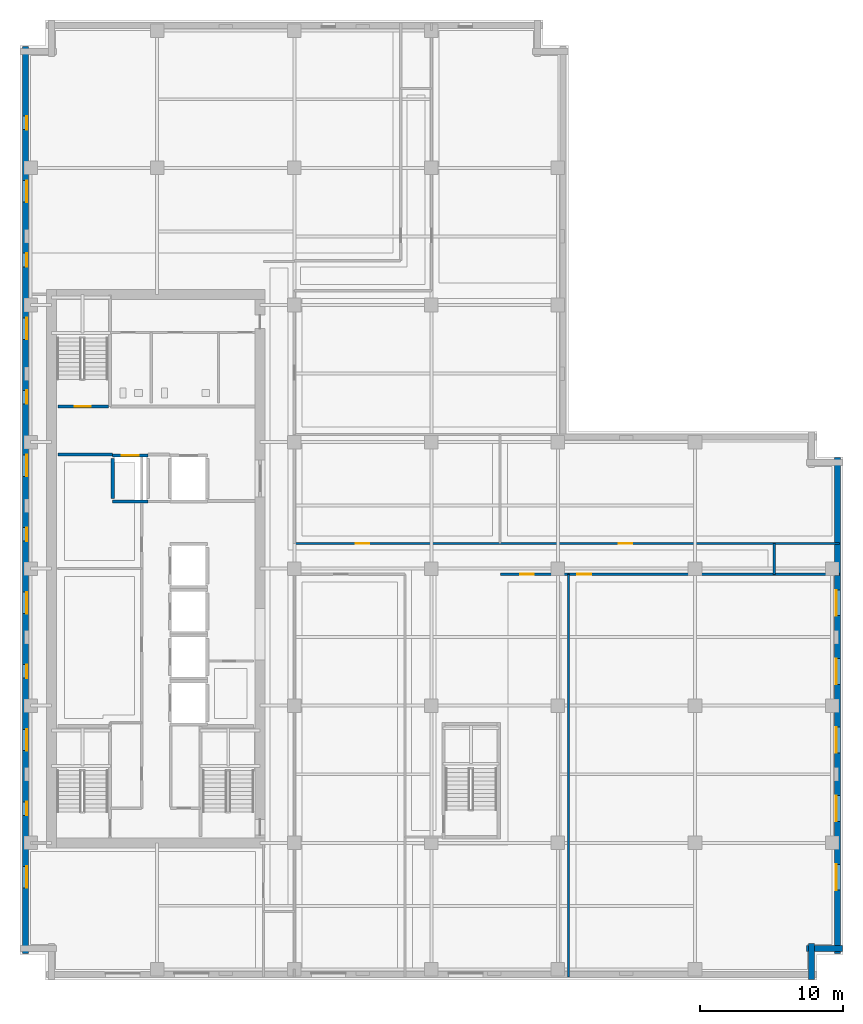
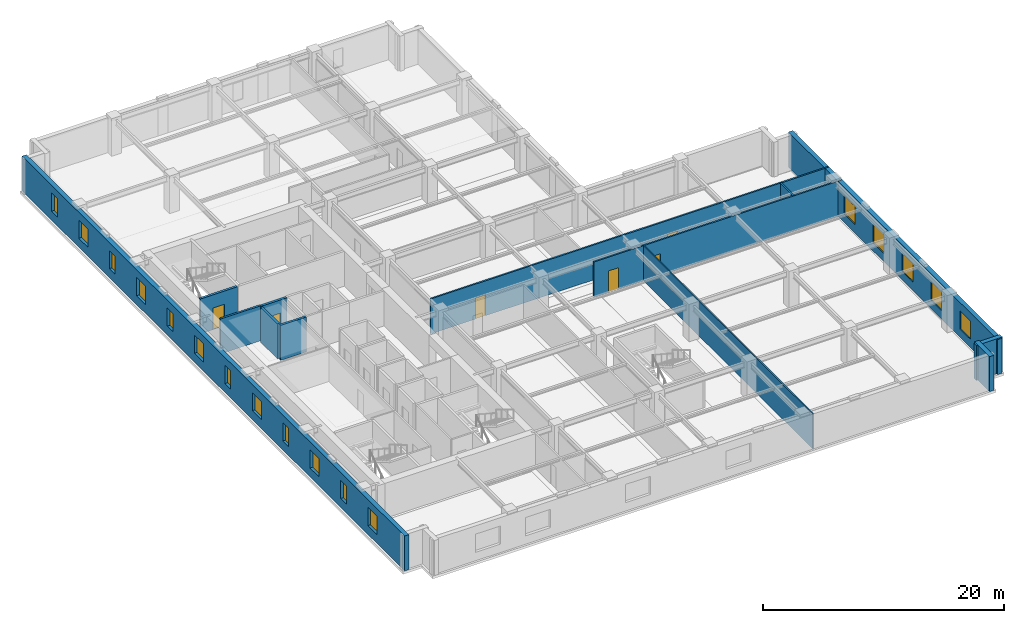
# One storey, part 5 of 12: 17 windows, 13 walls, 6 doors, 23 openings.
"""IFC4 building model written with IfcOpenShell, lengths in metres."""

from ifc_helpers import new_model, si_unit, direction, frame, frame_2d, origin, place, context, subcontext, project, spatial, rectangle, extrude, material, layer, layer_set, type_object, element, fill, save


model = new_model("IFC4")

# Units and contexts
model_context = context("Model", 3, precision=1e-05, world=origin(), true_north=direction((0.0, 1.0)))
body_context = subcontext(model_context, "Body", "Model", "MODEL_VIEW")
ifc_project = project(units=[si_unit("LENGTHUNIT", "METRE"), si_unit("AREAUNIT", "SQUARE_METRE"), si_unit("VOLUMEUNIT", "CUBIC_METRE"), si_unit("PLANEANGLEUNIT", "RADIAN"), si_unit("MASSUNIT", "GRAM", prefix="KILO")], contexts=[model_context])

# Site, building, storey
site_placement = place(None, origin())
site = spatial("IfcSite", under=ifc_project, at=site_placement, CompositionType="ELEMENT")
building_placement = place(site_placement, origin())
building = spatial("IfcBuilding", under=site, at=building_placement, Name="Norrvale University Quadrangle", CompositionType="ELEMENT")
storey_placement = place(building_placement, frame((0.0, 0.0, 182.60009765625)))
storey = spatial("IfcBuildingStorey", under=building, at=storey_placement, Name="L46", CompositionType="ELEMENT", Elevation=182.60009765625)

# Walls
ifc_material_1 = material(Name="Buff Norman Clay Brick Masonry", Category="masonry")
ifc_layer_1 = layer(ifc_material_1, 0.419921875, Name="Buff Norman Clay Brick Masonry")
ifc_layer_set_1 = layer_set([ifc_layer_1], Name="Buff Norman Clay Brick Masonry")
wall_type_1 = type_object("IfcWallType", Name="Wall Buff Brick 420", PredefinedType="SOLIDWALL", material=ifc_layer_set_1)
for number, where, z_axis, x_axis, name in (
    (1, (55.409912109375, 0.0400390625, 0.0), (0.0, 0.0, 1.0), (0.0, 1.0, 0.0), "Exterior Brick Facade Wall L46-02.1"),
    (2, (55.06005859375, 2.18994140625, 0.0), (0.0, 0.0, 1.0), (1.0, 0.0, 0.0), "Exterior Brick Facade Wall L46-03.1"),
):
    element("IfcWall", number, at=place(storey_placement, frame(where, z_axis=z_axis, x_axis=x_axis)), inside=storey, type_object=wall_type_1, Name=name, PredefinedType="SOLIDWALL", context=body_context, shape_type="SweptSolid", body=[
        extrude(rectangle(XDim=2.5, YDim=0.419921875, at=frame_2d((1.25, 0.0))), origin(), (0.0, 0.0, 1.0), 3.539794921875),
    ])

# Wall, openings, windows
wall_1_placement = place(storey_placement, frame((57.2099609375, 1.840087890625, 0.0), z_axis=(0.0, 0.0, 1.0), x_axis=(0.0, 1.0, 0.0)))
wall_1 = element("IfcWall", 3, at=wall_1_placement, inside=storey, type_object=wall_type_1, Name="Exterior Brick Facade Wall L46-04.1", PredefinedType="SOLIDWALL", context=body_context, shape_type="SweptSolid", body=[
    extrude(rectangle(XDim=34.719970703125, YDim=0.419921875, at=frame_2d((17.35986328125, 0.0))), origin(), (0.0, 0.0, 1.0), 3.539794921875),
])
opening_1_placement = place(wall_1_placement, frame((4.4599609375, 0.0, 0.85009765625)))
opening_1 = element("IfcOpeningElement", 4, at=opening_1_placement, cuts=wall_1, Name="Opening W01", PredefinedType="OPENING", context=body_context, shape_type="SweptSolid", body=[
    extrude(rectangle(XDim=1.800048828125, YDim=1.85009765625, at=frame_2d((0.89990234375, 0.925048828125))), frame((0.0, 0.221923828125, 0.0), z_axis=(0.0, -1.0, 0.0), x_axis=(1.0, 0.0, 0.0)), (0.0, 0.0, 1.0), 0.44384765625),
])
opening_2_placement = place(wall_1_placement, frame((9.260009765625, 0.0, 0.85009765625)))
opening_2 = element("IfcOpeningElement", 5, at=opening_2_placement, cuts=wall_1, Name="Opening W01", PredefinedType="OPENING", context=body_context, shape_type="SweptSolid", body=[
    extrude(rectangle(XDim=1.800048828125, YDim=1.85009765625, at=frame_2d((0.89990234375, 0.925048828125))), frame((0.0, 0.221923828125, 0.0), z_axis=(0.0, -1.0, 0.0), x_axis=(1.0, 0.0, 0.0)), (0.0, 0.0, 1.0), 0.44384765625),
])
opening_3_placement = place(wall_1_placement, frame((14.06005859375, 0.0, 0.85009765625)))
opening_3 = element("IfcOpeningElement", 6, at=opening_3_placement, cuts=wall_1, Name="Opening W01", PredefinedType="OPENING", context=body_context, shape_type="SweptSolid", body=[
    extrude(rectangle(XDim=1.800048828125, YDim=1.85009765625, at=frame_2d((0.89990234375, 0.925048828125))), frame((0.0, 0.221923828125, 0.0), z_axis=(0.0, -1.0, 0.0), x_axis=(1.0, 0.0, 0.0)), (0.0, 0.0, 1.0), 0.44384765625),
])
opening_4_placement = place(wall_1_placement, frame((18.860107421875, 0.0, 0.85009765625)))
opening_4 = element("IfcOpeningElement", 7, at=opening_4_placement, cuts=wall_1, Name="Opening W01", PredefinedType="OPENING", context=body_context, shape_type="SweptSolid", body=[
    extrude(rectangle(XDim=1.800048828125, YDim=1.85009765625, at=frame_2d((0.89990234375, 0.925048828125))), frame((0.0, 0.221923828125, 0.0), z_axis=(0.0, -1.0, 0.0), x_axis=(1.0, 0.0, 0.0)), (0.0, 0.0, 1.0), 0.44384765625),
])
opening_5_placement = place(wall_1_placement, frame((23.659912109375, 0.0, 0.85009765625)))
opening_5 = element("IfcOpeningElement", 8, at=opening_5_placement, cuts=wall_1, Name="Opening W01", PredefinedType="OPENING", context=body_context, shape_type="SweptSolid", body=[
    extrude(rectangle(XDim=1.800048828125, YDim=1.85009765625, at=frame_2d((0.89990234375, 0.925048828125))), frame((0.0, 0.221923828125, 0.0), z_axis=(0.0, -1.0, 0.0), x_axis=(1.0, 0.0, 0.0)), (0.0, 0.0, 1.0), 0.44384765625),
])
ifc_material_2 = material(Name="Triple Low-E Argon Glazing", Category="glass")
window_type_1 = type_object("IfcWindowType", Name="Window Academic 1800x2300", PartitioningType="DOUBLE_PANEL_VERTICAL", PredefinedType="WINDOW", material=ifc_material_2)
window_1_placement = place(opening_1_placement, origin())
window_1 = element("IfcWindow", 9, at=window_1_placement, inside=storey, type_object=window_type_1, Name="Window Academic 1800x2300 WIN-L46-E04-1-01", OverallHeight=1.85009765625, OverallWidth=1.800048828125, PartitioningType="DOUBLE_PANEL_VERTICAL", PredefinedType="WINDOW", context=body_context, shape_type="SweptSolid", body=[
    extrude(rectangle(XDim=1.800048828125, YDim=1.85009765625, at=frame_2d((0.89990234375, 0.925048828125))), frame((0.0, 0.110107421875, 0.0), z_axis=(0.0, -1.0, 0.0), x_axis=(1.0, 0.0, 0.0)), (0.0, 0.0, 1.0), 0.06005859375),
])
fill(opening_1, window_1)
window_2_placement = place(opening_2_placement, origin())
window_2 = element("IfcWindow", 10, at=window_2_placement, inside=storey, type_object=window_type_1, Name="Window Academic 1800x2300 WIN-L46-E04-1-02", OverallHeight=1.85009765625, OverallWidth=1.800048828125, PartitioningType="DOUBLE_PANEL_VERTICAL", PredefinedType="WINDOW", context=body_context, shape_type="SweptSolid", body=[
    extrude(rectangle(XDim=1.800048828125, YDim=1.85009765625, at=frame_2d((0.89990234375, 0.925048828125))), frame((0.0, 0.110107421875, 0.0), z_axis=(0.0, -1.0, 0.0), x_axis=(1.0, 0.0, 0.0)), (0.0, 0.0, 1.0), 0.06005859375),
])
fill(opening_2, window_2)
window_3_placement = place(opening_3_placement, origin())
window_3 = element("IfcWindow", 11, at=window_3_placement, inside=storey, type_object=window_type_1, Name="Window Academic 1800x2300 WIN-L46-E04-1-03", OverallHeight=1.85009765625, OverallWidth=1.800048828125, PartitioningType="DOUBLE_PANEL_VERTICAL", PredefinedType="WINDOW", context=body_context, shape_type="SweptSolid", body=[
    extrude(rectangle(XDim=1.800048828125, YDim=1.85009765625, at=frame_2d((0.89990234375, 0.925048828125))), frame((0.0, 0.110107421875, 0.0), z_axis=(0.0, -1.0, 0.0), x_axis=(1.0, 0.0, 0.0)), (0.0, 0.0, 1.0), 0.06005859375),
])
fill(opening_3, window_3)
window_4_placement = place(opening_4_placement, origin())
window_4 = element("IfcWindow", 12, at=window_4_placement, inside=storey, type_object=window_type_1, Name="Window Academic 1800x2300 WIN-L46-E04-1-04", OverallHeight=1.85009765625, OverallWidth=1.800048828125, PartitioningType="DOUBLE_PANEL_VERTICAL", PredefinedType="WINDOW", context=body_context, shape_type="SweptSolid", body=[
    extrude(rectangle(XDim=1.800048828125, YDim=1.85009765625, at=frame_2d((0.89990234375, 0.925048828125))), frame((0.0, 0.110107421875, 0.0), z_axis=(0.0, -1.0, 0.0), x_axis=(1.0, 0.0, 0.0)), (0.0, 0.0, 1.0), 0.06005859375),
])
fill(opening_4, window_4)
window_5_placement = place(opening_5_placement, origin())
window_5 = element("IfcWindow", 13, at=window_5_placement, inside=storey, type_object=window_type_1, Name="Window Academic 1800x2300 WIN-L46-E04-1-05", OverallHeight=1.85009765625, OverallWidth=1.800048828125, PartitioningType="DOUBLE_PANEL_VERTICAL", PredefinedType="WINDOW", context=body_context, shape_type="SweptSolid", body=[
    extrude(rectangle(XDim=1.800048828125, YDim=1.85009765625, at=frame_2d((0.89990234375, 0.925048828125))), frame((0.0, 0.110107421875, 0.0), z_axis=(0.0, -1.0, 0.0), x_axis=(1.0, 0.0, 0.0)), (0.0, 0.0, 1.0), 0.06005859375),
])
fill(opening_5, window_5)

wall_2_placement = place(storey_placement, frame((0.389892578125, 65.360107421875, 0.0), z_axis=(0.0, 0.0, 1.0), x_axis=(0.0, -1.0, 0.0)))
wall_2 = element("IfcWall", 14, at=wall_2_placement, inside=storey, type_object=wall_type_1, Name="Exterior Brick Facade Wall L46-14.1", PredefinedType="SOLIDWALL", context=body_context, shape_type="SweptSolid", body=[
    extrude(rectangle(XDim=63.52001953125, YDim=0.419921875, at=frame_2d((31.760009765625, 0.0))), origin(), (0.0, 0.0, 1.0), 3.539794921875),
])
opening_6_placement = place(wall_2_placement, frame((4.885009765625, 0.0, 0.89990234375)))
opening_6 = element("IfcOpeningElement", 15, at=opening_6_placement, cuts=wall_2, Name="Opening W04", PredefinedType="OPENING", context=body_context, shape_type="SweptSolid", body=[
    extrude(rectangle(XDim=0.949951171875, YDim=1.85009765625, at=frame_2d((0.47509765625, 0.925048828125))), frame((0.0, 0.221923828125, 0.0), z_axis=(0.0, -1.0, 0.0), x_axis=(1.0, 0.0, 0.0)), (0.0, 0.0, 1.0), 0.44384765625),
])
opening_7_placement = place(wall_2_placement, frame((9.409912109375, 0.0, 0.89990234375)))
opening_7 = element("IfcOpeningElement", 16, at=opening_7_placement, cuts=wall_2, Name="Opening W03", PredefinedType="OPENING", context=body_context, shape_type="SweptSolid", body=[
    extrude(rectangle(XDim=1.5, YDim=1.85009765625, at=frame_2d((0.75, 0.925048828125))), frame((0.0, 0.221923828125, 0.0), z_axis=(0.0, -1.0, 0.0), x_axis=(1.0, 0.0, 0.0)), (0.0, 0.0, 1.0), 0.44384765625),
])
opening_8_placement = place(wall_2_placement, frame((14.485107421875, 0.0, 0.89990234375)))
opening_8 = element("IfcOpeningElement", 17, at=opening_8_placement, cuts=wall_2, Name="Opening W04", PredefinedType="OPENING", context=body_context, shape_type="SweptSolid", body=[
    extrude(rectangle(XDim=0.949951171875, YDim=1.85009765625, at=frame_2d((0.47509765625, 0.925048828125))), frame((0.0, 0.221923828125, 0.0), z_axis=(0.0, -1.0, 0.0), x_axis=(1.0, 0.0, 0.0)), (0.0, 0.0, 1.0), 0.44384765625),
])
opening_9_placement = place(wall_2_placement, frame((19.010009765625, 0.0, 0.89990234375)))
opening_9 = element("IfcOpeningElement", 18, at=opening_9_placement, cuts=wall_2, Name="Opening W03", PredefinedType="OPENING", context=body_context, shape_type="SweptSolid", body=[
    extrude(rectangle(XDim=1.5, YDim=1.85009765625, at=frame_2d((0.75, 0.925048828125))), frame((0.0, 0.221923828125, 0.0), z_axis=(0.0, -1.0, 0.0), x_axis=(1.0, 0.0, 0.0)), (0.0, 0.0, 1.0), 0.44384765625),
])
opening_10_placement = place(wall_2_placement, frame((24.0849609375, 0.0, 0.89990234375)))
opening_10 = element("IfcOpeningElement", 19, at=opening_10_placement, cuts=wall_2, Name="Opening W04", PredefinedType="OPENING", context=body_context, shape_type="SweptSolid", body=[
    extrude(rectangle(XDim=0.949951171875, YDim=1.85009765625, at=frame_2d((0.47509765625, 0.925048828125))), frame((0.0, 0.221923828125, 0.0), z_axis=(0.0, -1.0, 0.0), x_axis=(1.0, 0.0, 0.0)), (0.0, 0.0, 1.0), 0.44384765625),
])
opening_11_placement = place(wall_2_placement, frame((28.610107421875, 0.0, 0.89990234375)))
opening_11 = element("IfcOpeningElement", 20, at=opening_11_placement, cuts=wall_2, Name="Opening W03", PredefinedType="OPENING", context=body_context, shape_type="SweptSolid", body=[
    extrude(rectangle(XDim=1.5, YDim=1.85009765625, at=frame_2d((0.75, 0.925048828125))), frame((0.0, 0.221923828125, 0.0), z_axis=(0.0, -1.0, 0.0), x_axis=(1.0, 0.0, 0.0)), (0.0, 0.0, 1.0), 0.44384765625),
])
opening_12_placement = place(wall_2_placement, frame((33.68505859375, 0.0, 0.89990234375)))
opening_12 = element("IfcOpeningElement", 21, at=opening_12_placement, cuts=wall_2, Name="Opening W04", PredefinedType="OPENING", context=body_context, shape_type="SweptSolid", body=[
    extrude(rectangle(XDim=0.949951171875, YDim=1.85009765625, at=frame_2d((0.47509765625, 0.925048828125))), frame((0.0, 0.221923828125, 0.0), z_axis=(0.0, -1.0, 0.0), x_axis=(1.0, 0.0, 0.0)), (0.0, 0.0, 1.0), 0.44384765625),
])
opening_13_placement = place(wall_2_placement, frame((38.2099609375, 0.0, 0.89990234375)))
opening_13 = element("IfcOpeningElement", 22, at=opening_13_placement, cuts=wall_2, Name="Opening W03", PredefinedType="OPENING", context=body_context, shape_type="SweptSolid", body=[
    extrude(rectangle(XDim=1.5, YDim=1.85009765625, at=frame_2d((0.75, 0.925048828125))), frame((0.0, 0.221923828125, 0.0), z_axis=(0.0, -1.0, 0.0), x_axis=(1.0, 0.0, 0.0)), (0.0, 0.0, 1.0), 0.44384765625),
])
opening_14_placement = place(wall_2_placement, frame((43.284912109375, 0.0, 0.89990234375)))
opening_14 = element("IfcOpeningElement", 23, at=opening_14_placement, cuts=wall_2, Name="Opening W04", PredefinedType="OPENING", context=body_context, shape_type="SweptSolid", body=[
    extrude(rectangle(XDim=0.949951171875, YDim=1.85009765625, at=frame_2d((0.47509765625, 0.925048828125))), frame((0.0, 0.221923828125, 0.0), z_axis=(0.0, -1.0, 0.0), x_axis=(1.0, 0.0, 0.0)), (0.0, 0.0, 1.0), 0.44384765625),
])
opening_15_placement = place(wall_2_placement, frame((47.81005859375, 0.0, 0.89990234375)))
opening_15 = element("IfcOpeningElement", 24, at=opening_15_placement, cuts=wall_2, Name="Opening W03", PredefinedType="OPENING", context=body_context, shape_type="SweptSolid", body=[
    extrude(rectangle(XDim=1.5, YDim=1.85009765625, at=frame_2d((0.75, 0.925048828125))), frame((0.0, 0.221923828125, 0.0), z_axis=(0.0, -1.0, 0.0), x_axis=(1.0, 0.0, 0.0)), (0.0, 0.0, 1.0), 0.44384765625),
])
opening_16_placement = place(wall_2_placement, frame((52.885009765625, 0.0, 0.89990234375)))
opening_16 = element("IfcOpeningElement", 25, at=opening_16_placement, cuts=wall_2, Name="Opening W04", PredefinedType="OPENING", context=body_context, shape_type="SweptSolid", body=[
    extrude(rectangle(XDim=0.949951171875, YDim=1.85009765625, at=frame_2d((0.47509765625, 0.925048828125))), frame((0.0, 0.221923828125, 0.0), z_axis=(0.0, -1.0, 0.0), x_axis=(1.0, 0.0, 0.0)), (0.0, 0.0, 1.0), 0.44384765625),
])
opening_17_placement = place(wall_2_placement, frame((57.409912109375, 0.0, 0.89990234375)))
opening_17 = element("IfcOpeningElement", 26, at=opening_17_placement, cuts=wall_2, Name="Opening W03", PredefinedType="OPENING", context=body_context, shape_type="SweptSolid", body=[
    extrude(rectangle(XDim=1.5, YDim=1.85009765625, at=frame_2d((0.75, 0.925048828125))), frame((0.0, 0.221923828125, 0.0), z_axis=(0.0, -1.0, 0.0), x_axis=(1.0, 0.0, 0.0)), (0.0, 0.0, 1.0), 0.44384765625),
])
window_type_2 = type_object("IfcWindowType", Name="Window Narrow Pier 950x2300", PartitioningType="SINGLE_PANEL", PredefinedType="WINDOW", material=ifc_material_2)
window_6_placement = place(opening_6_placement, origin())
window_6 = element("IfcWindow", 27, at=window_6_placement, inside=storey, type_object=window_type_2, Name="Window Narrow Pier 950x2300 WIN-L46-E14-1-01", OverallHeight=1.85009765625, OverallWidth=0.949951171875, PartitioningType="SINGLE_PANEL", PredefinedType="WINDOW", context=body_context, shape_type="SweptSolid", body=[
    extrude(rectangle(XDim=0.949951171875, YDim=1.85009765625, at=frame_2d((0.47509765625, 0.925048828125))), frame((0.0, 0.110107421875, 0.0), z_axis=(0.0, -1.0, 0.0), x_axis=(1.0, 0.0, 0.0)), (0.0, 0.0, 1.0), 0.06005859375),
])
fill(opening_6, window_6)
window_7_placement = place(opening_8_placement, origin())
window_7 = element("IfcWindow", 28, at=window_7_placement, inside=storey, type_object=window_type_2, Name="Window Narrow Pier 950x2300 WIN-L46-E14-1-03", OverallHeight=1.85009765625, OverallWidth=0.949951171875, PartitioningType="SINGLE_PANEL", PredefinedType="WINDOW", context=body_context, shape_type="SweptSolid", body=[
    extrude(rectangle(XDim=0.949951171875, YDim=1.85009765625, at=frame_2d((0.47509765625, 0.925048828125))), frame((0.0, 0.110107421875, 0.0), z_axis=(0.0, -1.0, 0.0), x_axis=(1.0, 0.0, 0.0)), (0.0, 0.0, 1.0), 0.06005859375),
])
fill(opening_8, window_7)
window_8_placement = place(opening_10_placement, origin())
window_8 = element("IfcWindow", 29, at=window_8_placement, inside=storey, type_object=window_type_2, Name="Window Narrow Pier 950x2300 WIN-L46-E14-1-05", OverallHeight=1.85009765625, OverallWidth=0.949951171875, PartitioningType="SINGLE_PANEL", PredefinedType="WINDOW", context=body_context, shape_type="SweptSolid", body=[
    extrude(rectangle(XDim=0.949951171875, YDim=1.85009765625, at=frame_2d((0.47509765625, 0.925048828125))), frame((0.0, 0.110107421875, 0.0), z_axis=(0.0, -1.0, 0.0), x_axis=(1.0, 0.0, 0.0)), (0.0, 0.0, 1.0), 0.06005859375),
])
fill(opening_10, window_8)
window_9_placement = place(opening_12_placement, origin())
window_9 = element("IfcWindow", 30, at=window_9_placement, inside=storey, type_object=window_type_2, Name="Window Narrow Pier 950x2300 WIN-L46-E14-1-07", OverallHeight=1.85009765625, OverallWidth=0.949951171875, PartitioningType="SINGLE_PANEL", PredefinedType="WINDOW", context=body_context, shape_type="SweptSolid", body=[
    extrude(rectangle(XDim=0.949951171875, YDim=1.85009765625, at=frame_2d((0.47509765625, 0.925048828125))), frame((0.0, 0.110107421875, 0.0), z_axis=(0.0, -1.0, 0.0), x_axis=(1.0, 0.0, 0.0)), (0.0, 0.0, 1.0), 0.06005859375),
])
fill(opening_12, window_9)
window_10_placement = place(opening_14_placement, origin())
window_10 = element("IfcWindow", 31, at=window_10_placement, inside=storey, type_object=window_type_2, Name="Window Narrow Pier 950x2300 WIN-L46-E14-1-09", OverallHeight=1.85009765625, OverallWidth=0.949951171875, PartitioningType="SINGLE_PANEL", PredefinedType="WINDOW", context=body_context, shape_type="SweptSolid", body=[
    extrude(rectangle(XDim=0.949951171875, YDim=1.85009765625, at=frame_2d((0.47509765625, 0.925048828125))), frame((0.0, 0.110107421875, 0.0), z_axis=(0.0, -1.0, 0.0), x_axis=(1.0, 0.0, 0.0)), (0.0, 0.0, 1.0), 0.06005859375),
])
fill(opening_14, window_10)
window_11_placement = place(opening_16_placement, origin())
window_11 = element("IfcWindow", 32, at=window_11_placement, inside=storey, type_object=window_type_2, Name="Window Narrow Pier 950x2300 WIN-L46-E14-1-11", OverallHeight=1.85009765625, OverallWidth=0.949951171875, PartitioningType="SINGLE_PANEL", PredefinedType="WINDOW", context=body_context, shape_type="SweptSolid", body=[
    extrude(rectangle(XDim=0.949951171875, YDim=1.85009765625, at=frame_2d((0.47509765625, 0.925048828125))), frame((0.0, 0.110107421875, 0.0), z_axis=(0.0, -1.0, 0.0), x_axis=(1.0, 0.0, 0.0)), (0.0, 0.0, 1.0), 0.06005859375),
])
fill(opening_16, window_11)
window_type_3 = type_object("IfcWindowType", Name="Window Studio 1500x2300", PartitioningType="DOUBLE_PANEL_VERTICAL", PredefinedType="WINDOW", material=ifc_material_2)
window_12_placement = place(opening_7_placement, origin())
window_12 = element("IfcWindow", 33, at=window_12_placement, inside=storey, type_object=window_type_3, Name="Window Studio 1500x2300 WIN-L46-E14-1-02", OverallHeight=1.85009765625, OverallWidth=1.5, PartitioningType="DOUBLE_PANEL_VERTICAL", PredefinedType="WINDOW", context=body_context, shape_type="SweptSolid", body=[
    extrude(rectangle(XDim=1.5, YDim=1.85009765625, at=frame_2d((0.75, 0.925048828125))), frame((0.0, 0.110107421875, 0.0), z_axis=(0.0, -1.0, 0.0), x_axis=(1.0, 0.0, 0.0)), (0.0, 0.0, 1.0), 0.06005859375),
])
fill(opening_7, window_12)
window_13_placement = place(opening_9_placement, origin())
window_13 = element("IfcWindow", 34, at=window_13_placement, inside=storey, type_object=window_type_3, Name="Window Studio 1500x2300 WIN-L46-E14-1-04", OverallHeight=1.85009765625, OverallWidth=1.5, PartitioningType="DOUBLE_PANEL_VERTICAL", PredefinedType="WINDOW", context=body_context, shape_type="SweptSolid", body=[
    extrude(rectangle(XDim=1.5, YDim=1.85009765625, at=frame_2d((0.75, 0.925048828125))), frame((0.0, 0.110107421875, 0.0), z_axis=(0.0, -1.0, 0.0), x_axis=(1.0, 0.0, 0.0)), (0.0, 0.0, 1.0), 0.06005859375),
])
fill(opening_9, window_13)
window_14_placement = place(opening_11_placement, origin())
window_14 = element("IfcWindow", 35, at=window_14_placement, inside=storey, type_object=window_type_3, Name="Window Studio 1500x2300 WIN-L46-E14-1-06", OverallHeight=1.85009765625, OverallWidth=1.5, PartitioningType="DOUBLE_PANEL_VERTICAL", PredefinedType="WINDOW", context=body_context, shape_type="SweptSolid", body=[
    extrude(rectangle(XDim=1.5, YDim=1.85009765625, at=frame_2d((0.75, 0.925048828125))), frame((0.0, 0.110107421875, 0.0), z_axis=(0.0, -1.0, 0.0), x_axis=(1.0, 0.0, 0.0)), (0.0, 0.0, 1.0), 0.06005859375),
])
fill(opening_11, window_14)
window_15_placement = place(opening_13_placement, origin())
window_15 = element("IfcWindow", 36, at=window_15_placement, inside=storey, type_object=window_type_3, Name="Window Studio 1500x2300 WIN-L46-E14-1-08", OverallHeight=1.85009765625, OverallWidth=1.5, PartitioningType="DOUBLE_PANEL_VERTICAL", PredefinedType="WINDOW", context=body_context, shape_type="SweptSolid", body=[
    extrude(rectangle(XDim=1.5, YDim=1.85009765625, at=frame_2d((0.75, 0.925048828125))), frame((0.0, 0.110107421875, 0.0), z_axis=(0.0, -1.0, 0.0), x_axis=(1.0, 0.0, 0.0)), (0.0, 0.0, 1.0), 0.06005859375),
])
fill(opening_13, window_15)
window_16_placement = place(opening_15_placement, origin())
window_16 = element("IfcWindow", 37, at=window_16_placement, inside=storey, type_object=window_type_3, Name="Window Studio 1500x2300 WIN-L46-E14-1-10", OverallHeight=1.85009765625, OverallWidth=1.5, PartitioningType="DOUBLE_PANEL_VERTICAL", PredefinedType="WINDOW", context=body_context, shape_type="SweptSolid", body=[
    extrude(rectangle(XDim=1.5, YDim=1.85009765625, at=frame_2d((0.75, 0.925048828125))), frame((0.0, 0.110107421875, 0.0), z_axis=(0.0, -1.0, 0.0), x_axis=(1.0, 0.0, 0.0)), (0.0, 0.0, 1.0), 0.06005859375),
])
fill(opening_15, window_16)
window_17_placement = place(opening_17_placement, origin())
window_17 = element("IfcWindow", 38, at=window_17_placement, inside=storey, type_object=window_type_3, Name="Window Studio 1500x2300 WIN-L46-E14-1-12", OverallHeight=1.85009765625, OverallWidth=1.5, PartitioningType="DOUBLE_PANEL_VERTICAL", PredefinedType="WINDOW", context=body_context, shape_type="SweptSolid", body=[
    extrude(rectangle(XDim=1.5, YDim=1.85009765625, at=frame_2d((0.75, 0.925048828125))), frame((0.0, 0.110107421875, 0.0), z_axis=(0.0, -1.0, 0.0), x_axis=(1.0, 0.0, 0.0)), (0.0, 0.0, 1.0), 0.06005859375),
])
fill(opening_17, window_17)

# Walls
ifc_material_3 = material(Name="Standard Academic Gypsum Partition")
ifc_layer_2 = layer(ifc_material_3, 0.125, Name="Standard Academic Gypsum Partition")
ifc_layer_set_2 = layer_set([ifc_layer_2], Name="Standard Academic Gypsum Partition")
wall_type_2 = type_object("IfcWallType", Name="Wall Gypsum Academic 125", PredefinedType="PARTITIONING", material=ifc_layer_set_2)
wall_3_placement = place(storey_placement, frame((38.39990234375, 0.219970703125, 0.0), z_axis=(0.0, 0.0, 1.0), x_axis=(0.0, 1.0, 0.0)))
element("IfcWall", 39, at=wall_3_placement, inside=storey, type_object=wall_type_2, Name="Interior Partition WL-L46-SEP2", PredefinedType="PARTITIONING", context=body_context, shape_type="SweptSolid", body=[
    extrude(rectangle(XDim=28.179931640625, YDim=0.125, at=frame_2d((14.08984375, 0.0))), origin(), (0.0, 0.0, 1.0), 3.539794921875),
])
ifc_material_4 = material(Name="Fire-Rated Gypsum Stud Partition")
ifc_layer_3 = layer(ifc_material_4, 0.14990234375, Name="Fire-Rated Gypsum Stud Partition")
ifc_layer_set_3 = layer_set([ifc_layer_3], Name="Fire-Rated Gypsum Stud Partition")
wall_type_3 = type_object("IfcWallType", Name="Wall Gypsum Corridor 150", PredefinedType="PARTITIONING", material=ifc_layer_set_3)
wall_4_placement = place(storey_placement, frame((52.800048828125, 28.39990234375, 0.0), z_axis=(0.0, 0.0, 1.0), x_axis=(0.0, 1.0, 0.0)))
element("IfcWall", 40, at=wall_4_placement, inside=storey, type_object=wall_type_3, Name="Interior Partition WL-L46-CESP-E", PredefinedType="PARTITIONING", context=body_context, shape_type="SweptSolid", body=[
    extrude(rectangle(XDim=2.150146484375, YDim=0.14990234375, at=frame_2d((1.0751953125, 0.0))), origin(), (0.0, 0.0, 1.0), 3.539794921875),
])

# Wall, openings, doors
wall_5_placement = place(storey_placement, frame((33.6201171875, 28.39990234375, 0.0), z_axis=(0.0, 0.0, 1.0), x_axis=(1.0, 0.0, 0.0)))
wall_5 = element("IfcWall", 41, at=wall_5_placement, inside=storey, type_object=wall_type_3, Name="Interior Partition WL-L46-SEW2", PredefinedType="PARTITIONING", context=body_context, shape_type="SweptSolid", body=[
    extrude(rectangle(XDim=23.759765625, YDim=0.14990234375, at=frame_2d((11.8798828125, 0.0))), origin(), (0.0, 0.0, 1.0), 3.539794921875),
])
opening_18_placement = place(wall_5_placement, frame((1.39990234375, 0.0, 0.0)))
opening_18 = element("IfcOpeningElement", 42, at=opening_18_placement, cuts=wall_5, Name="Opening D07", PredefinedType="OPENING", context=body_context, shape_type="SweptSolid", body=[
    extrude(rectangle(XDim=0.949951171875, YDim=2.14990234375, at=frame_2d((0.47509765625, 1.074951171875))), frame((0.0, 0.0869140625, 0.0), z_axis=(0.0, -1.0, 0.0), x_axis=(1.0, 0.0, 0.0)), (0.0, 0.0, 1.0), 0.173828125),
])
opening_19_placement = place(wall_5_placement, frame((5.39990234375, 0.0, 0.0)))
opening_19 = element("IfcOpeningElement", 43, at=opening_19_placement, cuts=wall_5, Name="Opening D07", PredefinedType="OPENING", context=body_context, shape_type="SweptSolid", body=[
    extrude(rectangle(XDim=0.949951171875, YDim=2.14990234375, at=frame_2d((0.47509765625, 1.074951171875))), frame((0.0, 0.0869140625, 0.0), z_axis=(0.0, -1.0, 0.0), x_axis=(1.0, 0.0, 0.0)), (0.0, 0.0, 1.0), 0.173828125),
])
ifc_material_5 = material(Name="Solid-Core Maple Door", Category="wood")
door_type_1 = type_object("IfcDoorType", Name="Door Office 950x2150", OperationType="NOTDEFINED", PredefinedType="DOOR", material=ifc_material_5)
door_1_placement = place(opening_18_placement, origin())
door_1 = element("IfcDoor", 44, at=door_1_placement, inside=storey, type_object=door_type_1, Name="Door Office 950x2150 DR-L46-SE2", OperationType="SINGLE_SWING_RIGHT", OverallHeight=2.14990234375, OverallWidth=0.949951171875, PredefinedType="DOOR", context=body_context, shape_type="SweptSolid", body=[
    extrude(rectangle(XDim=0.949951171875, YDim=2.14990234375, at=frame_2d((0.47509765625, 1.074951171875))), frame((0.0, 0.02490234375, 0.0), z_axis=(0.0, -1.0, 0.0), x_axis=(1.0, 0.0, 0.0)), (0.0, 0.0, 1.0), 0.050048828125),
])
fill(opening_18, door_1)
door_2_placement = place(opening_19_placement, origin())
door_2 = element("IfcDoor", 45, at=door_2_placement, inside=storey, type_object=door_type_1, Name="Door Office 950x2150 DR-L46-SE3", OperationType="SINGLE_SWING_LEFT", OverallHeight=2.14990234375, OverallWidth=0.949951171875, PredefinedType="DOOR", context=body_context, shape_type="SweptSolid", body=[
    extrude(rectangle(XDim=0.949951171875, YDim=2.14990234375, at=frame_2d((0.47509765625, 1.074951171875))), frame((0.0, 0.02490234375, 0.0), z_axis=(0.0, -1.0, 0.0), x_axis=(1.0, 0.0, 0.0)), (0.0, 0.0, 1.0), 0.050048828125),
])
fill(opening_19, door_2)

wall_6_placement = place(storey_placement, frame((19.199951171875, 30.550048828125, 0.0), z_axis=(0.0, 0.0, 1.0), x_axis=(1.0, 0.0, 0.0)))
wall_6 = element("IfcWall", 46, at=wall_6_placement, inside=storey, type_object=wall_type_3, Name="Interior Partition WL-L46-MECW", PredefinedType="PARTITIONING", context=body_context, shape_type="SweptSolid", body=[
    extrude(rectangle(XDim=38.179931640625, YDim=0.14990234375, at=frame_2d((19.08984375, 0.0))), origin(), (0.0, 0.0, 1.0), 3.539794921875),
])
opening_20_placement = place(wall_6_placement, frame((4.300048828125, 0.0, 0.0)))
opening_20 = element("IfcOpeningElement", 47, at=opening_20_placement, cuts=wall_6, Name="Opening D07", PredefinedType="OPENING", context=body_context, shape_type="SweptSolid", body=[
    extrude(rectangle(XDim=0.949951171875, YDim=2.14990234375, at=frame_2d((0.47509765625, 1.074951171875))), frame((0.0, 0.0869140625, 0.0), z_axis=(0.0, -1.0, 0.0), x_axis=(1.0, 0.0, 0.0)), (0.0, 0.0, 1.0), 0.173828125),
])
opening_21_placement = place(wall_6_placement, frame((22.699951171875, 0.0, 0.0)))
opening_21 = element("IfcOpeningElement", 48, at=opening_21_placement, cuts=wall_6, Name="Opening D07", PredefinedType="OPENING", context=body_context, shape_type="SweptSolid", body=[
    extrude(rectangle(XDim=0.949951171875, YDim=2.14990234375, at=frame_2d((0.47509765625, 1.074951171875))), frame((0.0, 0.0869140625, 0.0), z_axis=(0.0, -1.0, 0.0), x_axis=(1.0, 0.0, 0.0)), (0.0, 0.0, 1.0), 0.173828125),
])
door_3_placement = place(opening_20_placement, origin())
door_3 = element("IfcDoor", 49, at=door_3_placement, inside=storey, type_object=door_type_1, Name="Door Office 950x2150 DR-L46-ME01", OperationType="SINGLE_SWING_LEFT", OverallHeight=2.14990234375, OverallWidth=0.949951171875, PredefinedType="DOOR", context=body_context, shape_type="SweptSolid", body=[
    extrude(rectangle(XDim=0.949951171875, YDim=2.14990234375, at=frame_2d((0.47509765625, 1.074951171875))), frame((0.0, 0.02490234375, 0.0), z_axis=(0.0, -1.0, 0.0), x_axis=(1.0, 0.0, 0.0)), (0.0, 0.0, 1.0), 0.050048828125),
])
fill(opening_20, door_3)
door_4_placement = place(opening_21_placement, origin())
door_4 = element("IfcDoor", 50, at=door_4_placement, inside=storey, type_object=door_type_1, Name="Door Office 950x2150 DR-L46-ME02", OperationType="SINGLE_SWING_RIGHT", OverallHeight=2.14990234375, OverallWidth=0.949951171875, PredefinedType="DOOR", context=body_context, shape_type="SweptSolid", body=[
    extrude(rectangle(XDim=0.949951171875, YDim=2.14990234375, at=frame_2d((0.47509765625, 1.074951171875))), frame((0.0, 0.02490234375, 0.0), z_axis=(0.0, -1.0, 0.0), x_axis=(1.0, 0.0, 0.0)), (0.0, 0.0, 1.0), 0.050048828125),
])
fill(opening_21, door_4)

# Wall
ifc_material_6 = material(Name="Concrete Blockwork 20 MPa Rated Wall", Category="masonry")
ifc_layer_4 = layer(ifc_material_6, 0.199951171875, Name="Concrete Blockwork 20 MPa Rated Wall")
ifc_layer_set_4 = layer_set([ifc_layer_4], Name="Concrete Blockwork 20 MPa Rated Wall")
wall_type_4 = type_object("IfcWallType", Name="Wall Lobby 200", PredefinedType="SOLIDWALL", material=ifc_layer_set_4)
wall_7_placement = place(storey_placement, frame((2.64990234375, 36.780029296875, 0.0), z_axis=(0.0, 0.0, 1.0), x_axis=(1.0, 0.0, 0.0)))
element("IfcWall", 51, at=wall_7_placement, inside=storey, type_object=wall_type_4, Name="Interior Partition WL-L46-FF1", PredefinedType="SOLIDWALL", context=body_context, shape_type="SweptSolid", body=[
    extrude(rectangle(XDim=3.830078125, YDim=0.199951171875, at=frame_2d((1.9150390625, 0.0))), origin(), (0.0, 0.0, 1.0), 3.539794921875),
])

# Wall, opening, door
ifc_material_7 = material(Name="Concrete Blockwork 20 MPa Fire Shaft", Category="masonry")
ifc_layer_5 = layer(ifc_material_7, 0.219970703125, Name="Concrete Blockwork 20 MPa Fire Shaft")
ifc_layer_set_5 = layer_set([ifc_layer_5], Name="Concrete Blockwork 20 MPa Fire Shaft")
wall_type_5 = type_object("IfcWallType", Name="Wall Shaft 220", PredefinedType="SOLIDWALL", material=ifc_layer_set_5)
wall_8_placement = place(storey_placement, frame((2.64990234375, 40.139892578125, 0.0), z_axis=(0.0, 0.0, 1.0), x_axis=(1.0, 0.0, 0.0)))
wall_8 = element("IfcWall", 52, at=wall_8_placement, inside=storey, type_object=wall_type_5, Name="Stair ST-02 South Shaft Wall L46", PredefinedType="SOLIDWALL", context=body_context, shape_type="SweptSolid", body=[
    extrude(rectangle(XDim=3.550048828125, YDim=0.219970703125, at=frame_2d((1.77490234375, 0.0))), origin(), (0.0, 0.0, 1.0), 3.539794921875),
])
opening_22_placement = place(wall_8_placement, frame((1.199951171875, 0.0, 0.0)))
opening_22 = element("IfcOpeningElement", 53, at=opening_22_placement, cuts=wall_8, Name="Opening D02", PredefinedType="OPENING", context=body_context, shape_type="SweptSolid", body=[
    extrude(rectangle(XDim=1.10009765625, YDim=2.199951171875, at=frame_2d((0.550048828125, 1.10009765625))), frame((0.0, 0.1220703125, 0.0), z_axis=(0.0, -1.0, 0.0), x_axis=(1.0, 0.0, 0.0)), (0.0, 0.0, 1.0), 0.243896484375),
])
ifc_material_8 = material(Name="Hollow Steel 350W Fire Door", Category="steel")
door_type_2 = type_object("IfcDoorType", Name="Door Stair Exit 1100x2200", OperationType="NOTDEFINED", PredefinedType="DOOR", material=ifc_material_8)
door_5_placement = place(opening_22_placement, origin())
door_5 = element("IfcDoor", 54, at=door_5_placement, inside=storey, type_object=door_type_2, Name="Door Stair Exit 1100x2200 DR-L46-ST02", OperationType="SINGLE_SWING_LEFT", OverallHeight=2.199951171875, OverallWidth=1.10009765625, PredefinedType="DOOR", context=body_context, shape_type="SweptSolid", body=[
    extrude(rectangle(XDim=1.10009765625, YDim=2.199951171875, at=frame_2d((0.550048828125, 1.10009765625))), frame((0.0, 0.02490234375, 0.0), z_axis=(0.0, -1.0, 0.0), x_axis=(1.0, 0.0, 0.0)), (0.0, 0.0, 1.0), 0.050048828125),
])
fill(opening_22, door_5)

# Walls
wall_9_placement = place(storey_placement, frame((6.489990234375, 33.7099609375, 0.0), z_axis=(0.0, 0.0, 1.0), x_axis=(0.0, 1.0, 0.0)))
element("IfcWall", 55, at=wall_9_placement, inside=storey, type_object=wall_type_5, Name="Hoistway FFL-01 West Wall L46", PredefinedType="SOLIDWALL", context=body_context, shape_type="SweptSolid", body=[
    extrude(rectangle(XDim=2.780029296875, YDim=0.219970703125, at=frame_2d((1.39013671875, 0.0))), origin(), (0.0, 0.0, 1.0), 3.539794921875),
])
wall_10_placement = place(storey_placement, frame((6.489990234375, 33.489990234375, 0.0), z_axis=(0.0, 0.0, 1.0), x_axis=(1.0, 0.0, 0.0)))
element("IfcWall", 56, at=wall_10_placement, inside=storey, type_object=wall_type_5, Name="Hoistway FFL-01 South Wall L46", PredefinedType="SOLIDWALL", context=body_context, shape_type="SweptSolid", body=[
    extrude(rectangle(XDim=2.469970703125, YDim=0.219970703125, at=frame_2d((1.23486328125, 0.0))), origin(), (0.0, 0.0, 1.0), 3.539794921875),
])

# Wall, opening, door
wall_11_placement = place(storey_placement, frame((6.489990234375, 36.7099609375, 0.0), z_axis=(0.0, 0.0, 1.0), x_axis=(1.0, 0.0, 0.0)))
wall_11 = element("IfcWall", 57, at=wall_11_placement, inside=storey, type_object=wall_type_5, Name="Hoistway FFL-01 North Wall L46", PredefinedType="SOLIDWALL", context=body_context, shape_type="SweptSolid", body=[
    extrude(rectangle(XDim=2.469970703125, YDim=0.219970703125, at=frame_2d((1.23486328125, 0.0))), origin(), (0.0, 0.0, 1.0), 3.539794921875),
])
opening_23_placement = place(wall_11_placement, frame((0.635009765625, 0.0, 0.0)))
opening_23 = element("IfcOpeningElement", 58, at=opening_23_placement, cuts=wall_11, Name="Opening LD2", PredefinedType="OPENING", context=body_context, shape_type="SweptSolid", body=[
    extrude(rectangle(XDim=1.199951171875, YDim=2.199951171875, at=frame_2d((0.60009765625, 1.10009765625))), frame((0.0, 0.1220703125, 0.0), z_axis=(0.0, -1.0, 0.0), x_axis=(1.0, 0.0, 0.0)), (0.0, 0.0, 1.0), 0.243896484375),
])
ifc_material_9 = material(Name="Stainless Steel 316L Firefighter Lift Door", Category="steel")
door_type_3 = type_object("IfcDoorType", Name="Door Fire Lift 1200x2200", OperationType="DOUBLE_DOOR_SLIDING", PredefinedType="DOOR", material=ifc_material_9)
door_6_placement = place(opening_23_placement, origin())
door_6 = element("IfcDoor", 59, at=door_6_placement, inside=storey, type_object=door_type_3, Name="Elevator Landing Door DR-L46-FFL-01", OperationType="DOUBLE_DOOR_SLIDING", OverallHeight=2.199951171875, OverallWidth=1.199951171875, PredefinedType="DOOR", context=body_context, shape_type="SweptSolid", body=[
    extrude(rectangle(XDim=1.199951171875, YDim=2.199951171875, at=frame_2d((0.60009765625, 1.10009765625))), frame((0.0, 0.02490234375, 0.0), z_axis=(0.0, -1.0, 0.0), x_axis=(1.0, 0.0, 0.0)), (0.0, 0.0, 1.0), 0.050048828125),
])
fill(opening_23, door_6)

save(model, "model.ifc")
